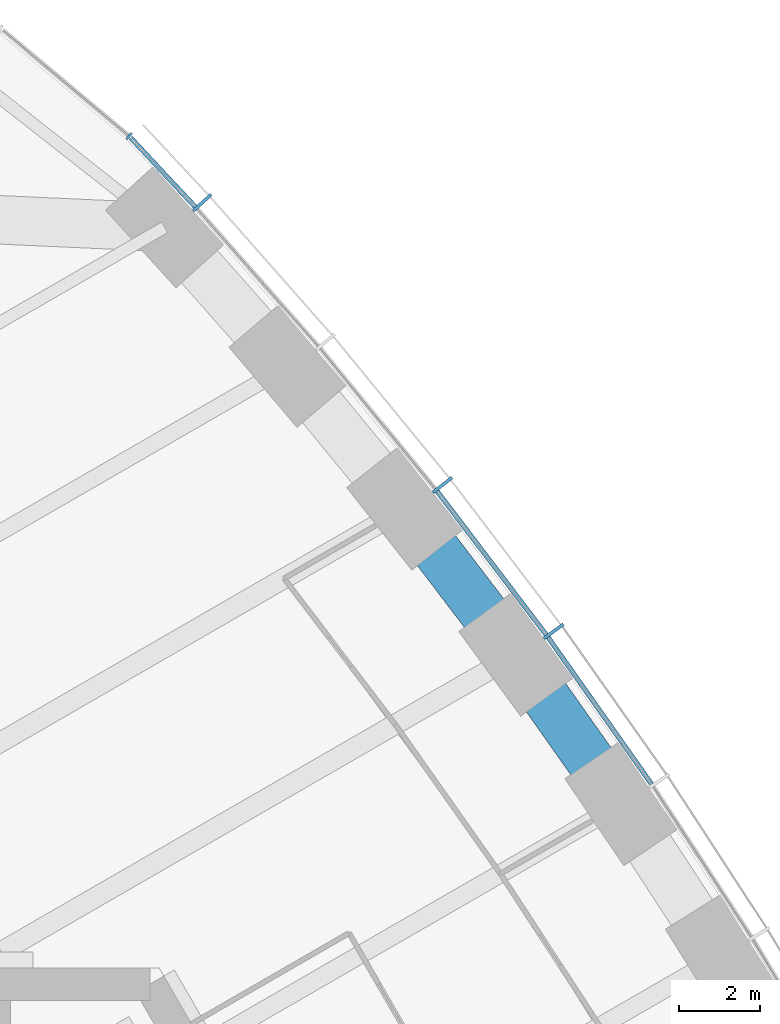
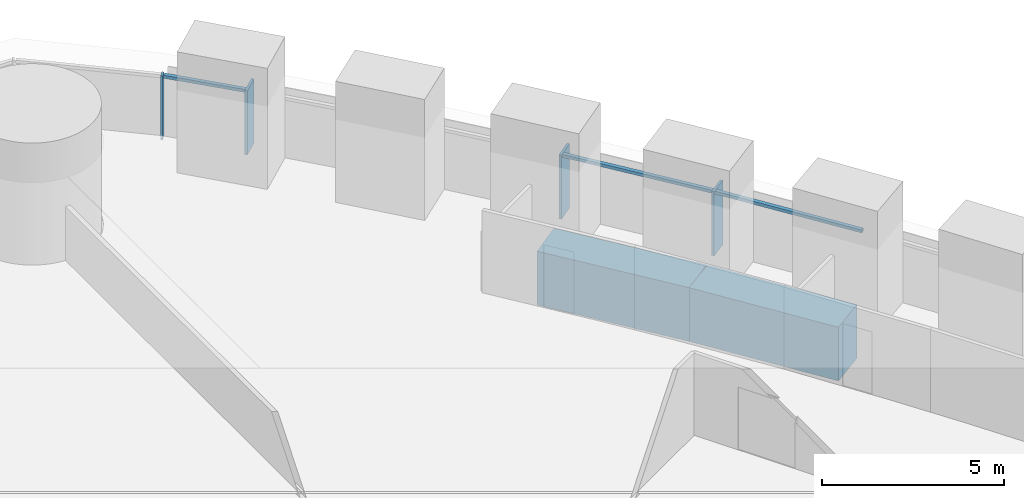
# One storey, part 6 of 18: 7 members, 2 beams, 2 elements without a shape of their own.
"""IFC4 building model written with IfcOpenShell, lengths in metres."""

from ifc_helpers import new_model, si_unit, direction, frame, origin, origin_2d, place, context, subcontext, project, spatial, rectangle, extrude, material, material_profile, profile_set, type_object, element, aggregate, save


model = new_model("IFC4")

# Units and contexts
model_context = context("Model", 3, precision=1e-05, world=origin(), true_north=direction((0.0, 1.0)))
body_context = subcontext(model_context, "Body", "Model", "MODEL_VIEW")
ifc_project = project(units=[si_unit("LENGTHUNIT", "METRE"), si_unit("AREAUNIT", "SQUARE_METRE"), si_unit("VOLUMEUNIT", "CUBIC_METRE"), si_unit("PLANEANGLEUNIT", "RADIAN"), si_unit("MASSUNIT", "GRAM", prefix="KILO")], contexts=[model_context])

# Site, building, storey
site_placement = place(None, origin())
site = spatial("IfcSite", under=ifc_project, at=site_placement, CompositionType="ELEMENT")
building_placement = place(site_placement, origin())
building = spatial("IfcBuilding", under=site, at=building_placement, Name="Trefoil Bronze Tower", CompositionType="ELEMENT")
storey_placement = place(building_placement, frame((0.0, 0.0, 174.5)))
storey = spatial("IfcBuildingStorey", under=building, at=storey_placement, Name="L40", CompositionType="ELEMENT", Elevation=174.5)

# Curtain wall, members
ifc_material_1 = material(Name="Tinted solar-control glass", Category="glass")
curtain_wall_type_1 = type_object("IfcCurtainWallType", Name="Bronze office curtain wall", PredefinedType="USERDEFINED", material=ifc_material_1)
curtain_wall_1_placement = place(storey_placement, origin())
curtain_wall_1 = element("IfcCurtainWall", 1, at=curtain_wall_1_placement, inside=storey, type_object=curtain_wall_type_1, Name="CW-A L40 F2", ObjectType="CURTAIN WALL", PredefinedType="USERDEFINED")
ifc_material_2 = material(Name="Bronze-finish aluminium", Category="aluminium")
ifc_material_profile_1 = material_profile(ifc_material_2, rectangle(XDim=0.60009765625, YDim=0.080078125, at=origin_2d()), Name="CW-A mullion")
ifc_profile_set_1 = profile_set([ifc_material_profile_1], Name="Bronze-finish aluminium")
member_type_1 = type_object("IfcMemberType", Name="Bronze office curtain wall mullion", PredefinedType="MULLION", material=ifc_profile_set_1)
member_1_placement = place(storey_placement, frame((15.764404296875, 24.7275390625, 0.0), z_axis=(0.0, 0.0, 1.0), x_axis=(-0.806874522901, -0.590722865897, 0.0)))
member_1 = element("IfcMember", 2, at=member_1_placement, type_object=member_type_1, Name="CW-A L40 F2 mullion 11", PredefinedType="MULLION", context=body_context, shape_type="SweptSolid", body=[
    extrude(rectangle(XDim=0.60009765625, YDim=0.080078125, at=origin_2d()), origin(), (0.0, 0.0, 1.0), 2.14990234375),
])
member_2_placement = place(storey_placement, frame((13.01220703125, 28.34716796875, 0.0), z_axis=(0.0, 0.0, 1.0), x_axis=(-0.78487913905, -0.619648882098, 0.0)))
member_2 = element("IfcMember", 3, at=member_2_placement, type_object=member_type_1, Name="CW-A L40 F2 mullion 12", PredefinedType="MULLION", context=body_context, shape_type="SweptSolid", body=[
    extrude(rectangle(XDim=0.60009765625, YDim=0.080078125, at=origin_2d()), origin(), (0.0, 0.0, 1.0), 2.14990234375),
])
member_3_placement = place(storey_placement, frame((7.070068359375, 35.332275390625, 0.0), z_axis=(0.0, 0.0, 1.0), x_axis=(-0.740360700327, -0.672209813534, 0.0)))
member_3 = element("IfcMember", 4, at=member_3_placement, type_object=member_type_1, Name="CW-A L40 F2 mullion 14", PredefinedType="MULLION", context=body_context, shape_type="SweptSolid", body=[
    extrude(rectangle(XDim=0.60009765625, YDim=0.080078125, at=origin_2d()), origin(), (0.0, 0.0, 1.0), 2.14990234375),
])
ifc_material_3 = material(Name="Bronze-finish aluminium", Category="aluminium")
ifc_material_profile_2 = material_profile(ifc_material_3, rectangle(XDim=0.1201171875, YDim=0.10009765625, at=origin_2d()), Name="CW-A transom")
ifc_profile_set_2 = profile_set([ifc_material_profile_2], Name="Bronze-finish aluminium")
member_type_2 = type_object("IfcMemberType", Name="Bronze office curtain wall transom", PredefinedType="USERDEFINED", material=ifc_profile_set_2)
member_4_placement = place(storey_placement, frame((18.18359375, 20.947021484375, 2.10009765625), z_axis=(-0.576017858824, 0.817437108478, 0.0), x_axis=(-0.817437108478, -0.576017858824, 0.0)))
member_4 = element("IfcMember", 5, at=member_4_placement, type_object=member_type_2, Name="CW-A L40 F2 transom 10", ObjectType="TRANSOM", PredefinedType="USERDEFINED", context=body_context, shape_type="SweptSolid", body=[
    extrude(rectangle(XDim=0.1201171875, YDim=0.10009765625, at=origin_2d()), origin(), (0.0, 0.0, 1.0), 4.4384765625),
])
member_5_placement = place(storey_placement, frame((15.57763671875, 24.642578125, 2.10009765625), z_axis=(-0.605229114572, 0.796051329296, 0.0), x_axis=(-0.796051329296, -0.605229114572, 0.0)))
member_5 = element("IfcMember", 6, at=member_5_placement, type_object=member_type_2, Name="CW-A L40 F2 transom 11", ObjectType="TRANSOM", PredefinedType="USERDEFINED", context=body_context, shape_type="SweptSolid", body=[
    extrude(rectangle(XDim=0.1201171875, YDim=0.10009765625, at=origin_2d()), origin(), (0.0, 0.0, 1.0), 4.456298828125),
])
member_6_placement = place(storey_placement, frame((6.893798828125, 35.22802734375, 2.10009765625), z_axis=(-0.682489214428, 0.730895664366, 0.0), x_axis=(-0.730895664366, -0.682489214428, 0.0)))
member_6 = element("IfcMember", 7, at=member_6_placement, type_object=member_type_2, Name="CW-A L40 F2 transom 14", ObjectType="TRANSOM", PredefinedType="USERDEFINED", context=body_context, shape_type="SweptSolid", body=[
    extrude(rectangle(XDim=0.1201171875, YDim=0.10009765625, at=origin_2d()), origin(), (0.0, 0.0, 1.0), 2.340087890625),
])
aggregate(curtain_wall_1, [member_1, member_2, member_3, member_4, member_5, member_6])

# Curtain wall, member
ifc_material_4 = material(Name="Tinted solar-control glass", Category="glass")
curtain_wall_type_2 = type_object("IfcCurtainWallType", Name="Bronze rounded corner curtain wall", PredefinedType="USERDEFINED", material=ifc_material_4)
curtain_wall_2_placement = place(storey_placement, origin())
curtain_wall_2 = element("IfcCurtainWall", 8, at=curtain_wall_2_placement, inside=storey, type_object=curtain_wall_type_2, Name="CW-B L40 K2", ObjectType="CURTAIN WALL", PredefinedType="USERDEFINED")
ifc_material_5 = material(Name="Bronze-finish aluminium", Category="aluminium")
ifc_material_profile_3 = material_profile(ifc_material_5, rectangle(XDim=0.199951171875, YDim=0.06005859375, at=origin_2d()), Name="CW-B mullion")
ifc_profile_set_3 = profile_set([ifc_material_profile_3], Name="Bronze-finish aluminium")
member_type_3 = type_object("IfcMemberType", Name="Bronze rounded corner curtain wall mullion", PredefinedType="MULLION", material=ifc_profile_set_3)
member_7_placement = place(storey_placement, frame((5.260498046875, 36.975830078125, 0.0), z_axis=(0.0, 0.0, 1.0), x_axis=(-0.642787609687, -0.766044443119, 0.0)))
member_7 = element("IfcMember", 9, at=member_7_placement, type_object=member_type_3, Name="CW-B L40 K2 mullion 1", PredefinedType="MULLION", context=body_context, shape_type="SweptSolid", body=[
    extrude(rectangle(XDim=0.199951171875, YDim=0.06005859375, at=origin_2d()), origin(), (0.0, 0.0, 1.0), 2.14990234375),
])
aggregate(curtain_wall_2, [member_7])

# Beams
ifc_material_6 = material(Name="Concrete B80", Category="concrete")
ifc_material_profile_4 = material_profile(ifc_material_6, rectangle(XDim=1.199951171875, YDim=1.800048828125, at=origin_2d()), Name="RC 1200x1800")
ifc_profile_set_4 = profile_set([ifc_material_profile_4], Name="Concrete B80")
beam_type = type_object("IfcBeamType", Name="Spandrel beam RC 1200x1800", PredefinedType="SPANDREL", material=ifc_profile_set_4)
beam_1_placement = place(storey_placement, frame((17.43017578125, 20.45556640625, -1.10009765625), z_axis=(-0.576439228712, 0.81714002203, 0.0), x_axis=(-0.81714002203, -0.576439228712, 0.0)))
element("IfcBeam", 10, at=beam_1_placement, inside=storey, type_object=beam_type, Name="Spandrel F2.10 L40", PredefinedType="SPANDREL", context=body_context, shape_type="SweptSolid", body=[
    extrude(rectangle(XDim=1.199951171875, YDim=1.800048828125, at=origin_2d()), origin(), (0.0, 0.0, 1.0), 4.5185546875),
])
beam_2_placement = place(storey_placement, frame((14.825439453125, 24.14794921875, -1.10009765625), z_axis=(-0.605898901788, 0.795541652468, 0.0), x_axis=(-0.795541652468, -0.605898901788, 0.0)))
element("IfcBeam", 11, at=beam_2_placement, inside=storey, type_object=beam_type, Name="Spandrel F2.11 L40", PredefinedType="SPANDREL", context=body_context, shape_type="SweptSolid", body=[
    extrude(rectangle(XDim=1.199951171875, YDim=1.800048828125, at=origin_2d()), origin(), (0.0, 0.0, 1.0), 4.53662109375),
])

save(model, "model.ifc")
